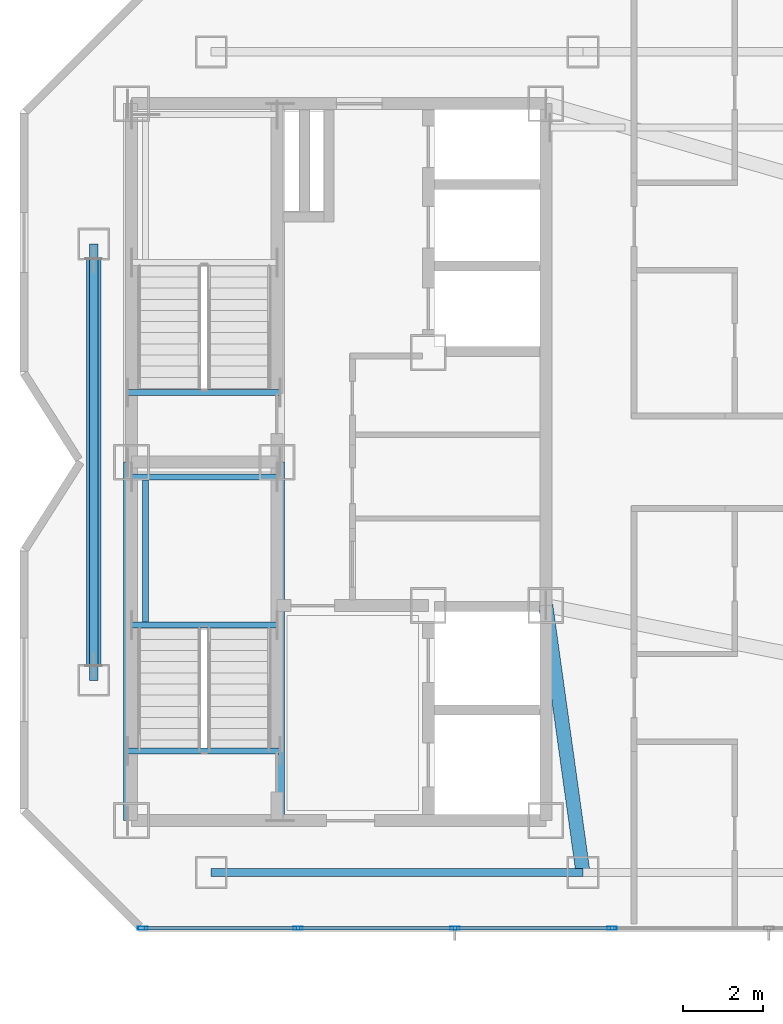
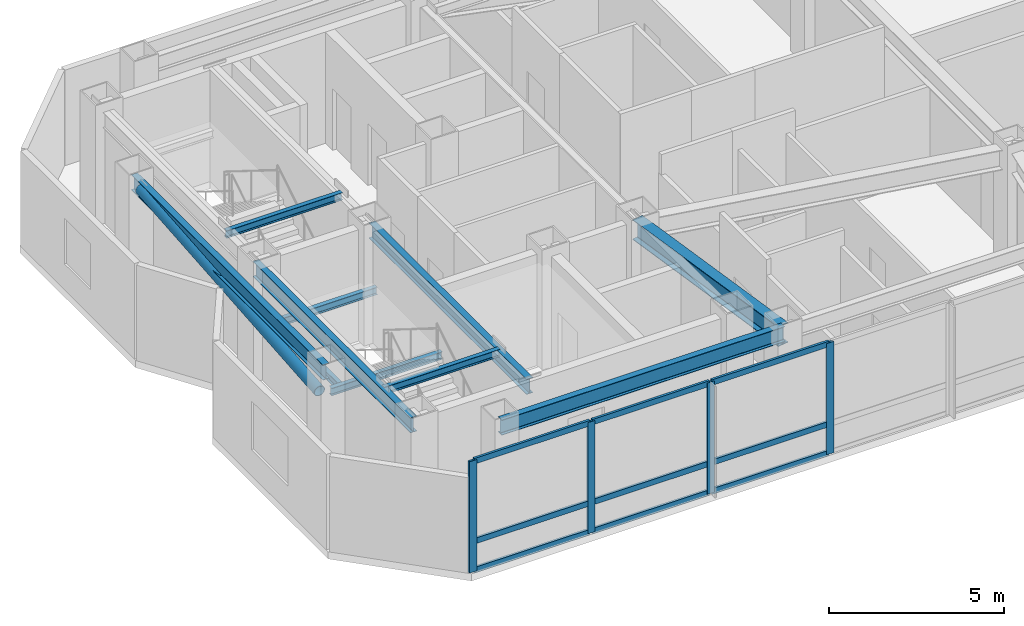
# One storey, part 2 of 12: 14 members, 10 beams, 1 element without a shape of its own.
"""IFC4 building model written with IfcOpenShell, lengths in metres."""

from ifc_helpers import new_model, si_unit, direction, frame, origin, origin_2d, place, context, subcontext, project, spatial, hollow_rectangle, hollow_circle, i_section, extrude, material, material_profile, profile_set, type_object, element, aggregate, save


model = new_model("IFC4")

# Units and contexts
model_context = context("Model", 3, precision=1e-05, world=origin(), true_north=direction((0.0, 1.0)))
body_context = subcontext(model_context, "Body", "Model", "MODEL_VIEW")
ifc_project = project(units=[si_unit("LENGTHUNIT", "METRE"), si_unit("AREAUNIT", "SQUARE_METRE"), si_unit("VOLUMEUNIT", "CUBIC_METRE"), si_unit("PLANEANGLEUNIT", "RADIAN"), si_unit("MASSUNIT", "GRAM", prefix="KILO")], contexts=[model_context])

# Site, building, storey
site_placement = place(None, origin())
site = spatial("IfcSite", under=ifc_project, at=site_placement, CompositionType="ELEMENT")
building_placement = place(site_placement, origin())
building = spatial("IfcBuilding", under=site, at=building_placement, Name="Khamvora Tower", CompositionType="ELEMENT")
storey_placement = place(building_placement, frame((0.0, 0.0, 298.85009765625)))
storey = spatial("IfcBuildingStorey", under=building, at=storey_placement, Name="L76", CompositionType="ELEMENT", Elevation=298.85009765625)

# Beams
ifc_material_1 = material(Name="Steel S355", Category="steel")
ifc_material_profile_1 = material_profile(ifc_material_1, i_section(OverallWidth=0.14697265625, OverallDepth=0.261962890625, WebThickness=0.007080078125, FlangeThickness=0.010986328125, FilletRadius=0.008056640625, at=origin_2d()), Name="W250x39")
ifc_profile_set_1 = profile_set([ifc_material_profile_1], Name="Steel S355")
beam_type_1 = type_object("IfcBeamType", Name="BM-LN-W250x39", PredefinedType="LINTEL", material=ifc_profile_set_1)
for number, where, z_axis, x_axis, name in (
    (1, (29.0, 23.9150390625, 1.768798828125), (1.0, 0.0, 0.0), (0.0, 1.0, 0.0), "L76 ST-01 half-landing support beam 1.1"),
    (2, (29.0, 27.6298828125, 1.768798828125), (1.0, 0.0, 0.0), (0.0, 1.0, 0.0), "L76 ST-01 half-landing support beam 1.2"),
):
    element("IfcBeam", number, at=place(storey_placement, frame(where, z_axis=z_axis, x_axis=x_axis)), inside=storey, type_object=beam_type_1, Name=name, PredefinedType="LINTEL", context=body_context, shape_type="SweptSolid", body=[
        extrude(i_section(OverallWidth=0.14697265625, OverallDepth=0.261962890625, WebThickness=0.007080078125, FlangeThickness=0.010986328125, FilletRadius=0.008056640625, at=origin_2d()), origin(), (0.0, 0.0, 1.0), 3.64990234375),
    ])
beam_1_placement = place(storey_placement, frame((29.35009765625, 23.9150390625, 1.768798828125), z_axis=(0.0, 1.0, 0.0), x_axis=(-1.0, 0.0, 0.0)))
element("IfcBeam", 3, at=beam_1_placement, inside=storey, type_object=beam_type_1, Name="L76 ST-01 half-landing edge stringer 1", PredefinedType="LINTEL", context=body_context, shape_type="SweptSolid", body=[
    extrude(i_section(OverallWidth=0.14697265625, OverallDepth=0.261962890625, WebThickness=0.007080078125, FlangeThickness=0.010986328125, FilletRadius=0.008056640625, at=origin_2d()), origin(), (0.0, 0.0, 1.0), 3.71484375),
])
for number, where, z_axis, x_axis, name in (
    (4, (28.89990234375, 20.75, 3.75390625), (1.0, 0.0, 0.0), (0.0, 1.0, 0.0), "L76 exit stair ST-01 landing trimmer beam"),
    (5, (28.89990234375, 29.75, 3.75390625), (1.0, 0.0, 0.0), (0.0, 1.0, 0.0), "L76 exit stair ST-02 landing trimmer beam"),
):
    element("IfcBeam", number, at=place(storey_placement, frame(where, z_axis=z_axis, x_axis=x_axis)), inside=storey, type_object=beam_type_1, Name=name, PredefinedType="LINTEL", context=body_context, shape_type="SweptSolid", body=[
        extrude(i_section(OverallWidth=0.14697265625, OverallDepth=0.261962890625, WebThickness=0.007080078125, FlangeThickness=0.010986328125, FilletRadius=0.008056640625, at=origin_2d()), origin(), (0.0, 0.0, 1.0), 3.830078125),
    ])
ifc_material_profile_2 = material_profile(ifc_material_1, i_section(OverallWidth=0.35498046875, OverallDepth=0.695068359375, WebThickness=0.014892578125, FlangeThickness=0.02490234375, FilletRadius=0.01611328125, at=origin_2d()), Name="W690x217")
ifc_profile_set_2 = profile_set([ifc_material_profile_2], Name="Steel S355")
beam_type_2 = type_object("IfcBeamType", Name="BM-PG-W690x217", PredefinedType="BEAM", material=ifc_profile_set_2)
beam_2_placement = place(storey_placement, frame((39.39990234375, 24.39990234375, 3.531982421875), z_axis=(0.1379391601, -0.990440703985, 0.0), x_axis=(0.990440703985, 0.1379391601, 0.0)))
element("IfcBeam", 6, at=beam_2_placement, inside=storey, type_object=beam_type_2, Name="L76 primary floor girder S2", PredefinedType="BEAM", context=body_context, shape_type="SweptSolid", body=[
    extrude(i_section(OverallWidth=0.35498046875, OverallDepth=0.695068359375, WebThickness=0.014892578125, FlangeThickness=0.02490234375, FilletRadius=0.01611328125, at=origin_2d()), origin(), (0.0, 0.0, 1.0), 6.7646484375),
])
ifc_material_profile_3 = material_profile(ifc_material_1, i_section(OverallWidth=0.208984375, OverallDepth=0.532958984375, WebThickness=0.010009765625, FlangeThickness=0.01611328125, FilletRadius=0.013916015625, at=origin_2d()), Name="W530x92")
ifc_profile_set_3 = profile_set([ifc_material_profile_3], Name="Steel S355")
beam_type_3 = type_object("IfcBeamType", Name="BM-SP-W530x92", PredefinedType="SPANDREL", material=ifc_profile_set_3)
beam_3_placement = place(storey_placement, frame((31.0, 17.699951171875, 3.614013671875), z_axis=(1.0, 0.0, 0.0), x_axis=(0.0, 1.0, 0.0)))
element("IfcBeam", 7, at=beam_3_placement, inside=storey, type_object=beam_type_3, Name="L76 perimeter spandrel beam S1-S2", PredefinedType="SPANDREL", context=body_context, shape_type="SweptSolid", body=[
    extrude(i_section(OverallWidth=0.208984375, OverallDepth=0.532958984375, WebThickness=0.010009765625, FlangeThickness=0.01611328125, FilletRadius=0.013916015625, at=origin_2d()), origin(), (0.0, 0.0, 1.0), 9.3330078125),
])
beam_4_placement = place(storey_placement, frame((28.050048828125, 33.47509765625, 3.614013671875), z_axis=(0.0, -1.0, 0.0), x_axis=(1.0, 0.0, 0.0)))
element("IfcBeam", 8, at=beam_4_placement, inside=storey, type_object=beam_type_3, Name="L76 perimeter spandrel beam W2-W1", PredefinedType="SPANDREL", context=body_context, shape_type="SweptSolid", body=[
    extrude(i_section(OverallWidth=0.208984375, OverallDepth=0.532958984375, WebThickness=0.010009765625, FlangeThickness=0.01611328125, FilletRadius=0.013916015625, at=origin_2d()), origin(), (0.0, 0.0, 1.0), 10.9501953125),
])
for number, where, z_axis, x_axis, name in (
    (9, (28.89990234375, 19.0, 3.614013671875), (0.0, 1.0, 0.0), (-1.0, 0.0, 0.0), "L76 core spine girder WS"),
    (10, (32.72998046875, 19.0, 3.614013671875), (0.0, 1.0, 0.0), (-1.0, 0.0, 0.0), "L76 core spine girder M1S"),
):
    element("IfcBeam", number, at=place(storey_placement, frame(where, z_axis=z_axis, x_axis=x_axis)), inside=storey, type_object=beam_type_3, Name=name, PredefinedType="SPANDREL", context=body_context, shape_type="SweptSolid", body=[
        extrude(i_section(OverallWidth=0.208984375, OverallDepth=0.532958984375, WebThickness=0.010009765625, FlangeThickness=0.01611328125, FilletRadius=0.013916015625, at=origin_2d()), origin(), (0.0, 0.0, 1.0), 9.0),
    ])

# Curtain wall, members
ifc_material_2 = material(Name="Anodised Aluminium 6063-T6", Category="aluminium")
curtain_wall_type = type_object("IfcCurtainWallType", Name="CW-SYS-06", PredefinedType="NOTDEFINED", material=ifc_material_2)
curtain_wall_placement = place(storey_placement, origin())
curtain_wall = element("IfcCurtainWall", 11, at=curtain_wall_placement, inside=storey, type_object=curtain_wall_type, Name="L76 stick curtain wall 01.1", PredefinedType="NOTDEFINED")
ifc_material_profile_4 = material_profile(ifc_material_2, hollow_rectangle(XDim=0.080078125, YDim=0.239990234375, WallThickness=0.0048828125, at=origin_2d()), Name="MUL80x240x5")
ifc_profile_set_4 = profile_set([ifc_material_profile_4], Name="Anodised Aluminium 6063-T6")
member_type_1 = type_object("IfcMemberType", Name="CW-SYS-06-MUL", PredefinedType="MULLION", material=ifc_profile_set_4)
member_1_placement = place(storey_placement, frame((41.060302734375, 16.300048828125, 0.0), z_axis=(0.0, 0.0, 1.0), x_axis=(0.0, -1.0, 0.0)))
member_1 = element("IfcMember", 12, at=member_1_placement, type_object=member_type_1, Name="CW-06 mullion 6", PredefinedType="MULLION", context=body_context, shape_type="SweptSolid", body=[
    extrude(hollow_rectangle(XDim=0.080078125, YDim=0.239990234375, WallThickness=0.0048828125, at=origin_2d()), origin(), (0.0, 0.0, 1.0), 3.8798828125),
])
member_2_placement = place(storey_placement, frame((37.12060546875, 16.300048828125, 0.0), z_axis=(0.0, 0.0, 1.0), x_axis=(0.0, -1.0, 0.0)))
member_2 = element("IfcMember", 13, at=member_2_placement, type_object=member_type_1, Name="CW-06 mullion 7", PredefinedType="MULLION", context=body_context, shape_type="SweptSolid", body=[
    extrude(hollow_rectangle(XDim=0.080078125, YDim=0.239990234375, WallThickness=0.0048828125, at=origin_2d()), origin(), (0.0, 0.0, 1.0), 3.8798828125),
])
member_3_placement = place(storey_placement, frame((33.1806640625, 16.300048828125, 0.0), z_axis=(0.0, 0.0, 1.0), x_axis=(0.0, -1.0, 0.0)))
member_3 = element("IfcMember", 14, at=member_3_placement, type_object=member_type_1, Name="CW-06 mullion 8", PredefinedType="MULLION", context=body_context, shape_type="SweptSolid", body=[
    extrude(hollow_rectangle(XDim=0.080078125, YDim=0.239990234375, WallThickness=0.0048828125, at=origin_2d()), origin(), (0.0, 0.0, 1.0), 3.8798828125),
])
member_4_placement = place(storey_placement, frame((29.281005859375, 16.300048828125, 0.0), z_axis=(0.0, 0.0, 1.0), x_axis=(0.0, -1.0, 0.0)))
member_4 = element("IfcMember", 15, at=member_4_placement, type_object=member_type_1, Name="CW-06 mullion 9", PredefinedType="MULLION", context=body_context, shape_type="SweptSolid", body=[
    extrude(hollow_rectangle(XDim=0.080078125, YDim=0.239990234375, WallThickness=0.0048828125, at=origin_2d()), origin(), (0.0, 0.0, 1.0), 3.8798828125),
])
ifc_material_profile_5 = material_profile(ifc_material_2, hollow_rectangle(XDim=0.080078125, YDim=0.195068359375, WallThickness=0.0048828125, at=origin_2d()), Name="TRN80x195x5")
ifc_profile_set_5 = profile_set([ifc_material_profile_5], Name="Anodised Aluminium 6063-T6")
member_type_2 = type_object("IfcMemberType", Name="CW-SYS-06-TRN", PredefinedType="USERDEFINED", material=ifc_profile_set_5)
member_5_placement = place(storey_placement, frame((41.020263671875, 16.300048828125, 0.039794921875), z_axis=(-1.0, 0.0, 0.0), x_axis=(0.0, -1.0, 0.0)))
member_5 = element("IfcMember", 16, at=member_5_placement, type_object=member_type_2, Name="CW-06 transom 6.1", ObjectType="TRANSOM", PredefinedType="USERDEFINED", context=body_context, shape_type="SweptSolid", body=[
    extrude(hollow_rectangle(XDim=0.080078125, YDim=0.195068359375, WallThickness=0.0048828125, at=origin_2d()), origin(), (0.0, 0.0, 1.0), 3.85986328125),
])
member_6_placement = place(storey_placement, frame((41.020263671875, 16.300048828125, 1.0498046875), z_axis=(-1.0, 0.0, 0.0), x_axis=(0.0, -1.0, 0.0)))
member_6 = element("IfcMember", 17, at=member_6_placement, type_object=member_type_2, Name="CW-06 transom 6.2", ObjectType="TRANSOM", PredefinedType="USERDEFINED", context=body_context, shape_type="SweptSolid", body=[
    extrude(hollow_rectangle(XDim=0.080078125, YDim=0.195068359375, WallThickness=0.0048828125, at=origin_2d()), origin(), (0.0, 0.0, 1.0), 3.85986328125),
])
member_7_placement = place(storey_placement, frame((41.020263671875, 16.300048828125, 3.83984375), z_axis=(-1.0, 0.0, 0.0), x_axis=(0.0, -1.0, 0.0)))
member_7 = element("IfcMember", 18, at=member_7_placement, type_object=member_type_2, Name="CW-06 transom 6.3", ObjectType="TRANSOM", PredefinedType="USERDEFINED", context=body_context, shape_type="SweptSolid", body=[
    extrude(hollow_rectangle(XDim=0.080078125, YDim=0.195068359375, WallThickness=0.0048828125, at=origin_2d()), origin(), (0.0, 0.0, 1.0), 3.85986328125),
])
member_8_placement = place(storey_placement, frame((37.08056640625, 16.300048828125, 0.039794921875), z_axis=(-1.0, 0.0, 0.0), x_axis=(0.0, -1.0, 0.0)))
member_8 = element("IfcMember", 19, at=member_8_placement, type_object=member_type_2, Name="CW-06 transom 7.1", ObjectType="TRANSOM", PredefinedType="USERDEFINED", context=body_context, shape_type="SweptSolid", body=[
    extrude(hollow_rectangle(XDim=0.080078125, YDim=0.195068359375, WallThickness=0.0048828125, at=origin_2d()), origin(), (0.0, 0.0, 1.0), 3.85986328125),
])
member_9_placement = place(storey_placement, frame((37.08056640625, 16.300048828125, 1.0498046875), z_axis=(-1.0, 0.0, 0.0), x_axis=(0.0, -1.0, 0.0)))
member_9 = element("IfcMember", 20, at=member_9_placement, type_object=member_type_2, Name="CW-06 transom 7.2", ObjectType="TRANSOM", PredefinedType="USERDEFINED", context=body_context, shape_type="SweptSolid", body=[
    extrude(hollow_rectangle(XDim=0.080078125, YDim=0.195068359375, WallThickness=0.0048828125, at=origin_2d()), origin(), (0.0, 0.0, 1.0), 3.85986328125),
])
member_10_placement = place(storey_placement, frame((37.08056640625, 16.300048828125, 3.83984375), z_axis=(-1.0, 0.0, 0.0), x_axis=(0.0, -1.0, 0.0)))
member_10 = element("IfcMember", 21, at=member_10_placement, type_object=member_type_2, Name="CW-06 transom 7.3", ObjectType="TRANSOM", PredefinedType="USERDEFINED", context=body_context, shape_type="SweptSolid", body=[
    extrude(hollow_rectangle(XDim=0.080078125, YDim=0.195068359375, WallThickness=0.0048828125, at=origin_2d()), origin(), (0.0, 0.0, 1.0), 3.85986328125),
])
member_11_placement = place(storey_placement, frame((33.140869140625, 16.300048828125, 0.039794921875), z_axis=(-1.0, 0.0, 0.0), x_axis=(0.0, -1.0, 0.0)))
member_11 = element("IfcMember", 22, at=member_11_placement, type_object=member_type_2, Name="CW-06 transom 8.1", ObjectType="TRANSOM", PredefinedType="USERDEFINED", context=body_context, shape_type="SweptSolid", body=[
    extrude(hollow_rectangle(XDim=0.080078125, YDim=0.195068359375, WallThickness=0.0048828125, at=origin_2d()), origin(), (0.0, 0.0, 1.0), 3.81982421875),
])
member_12_placement = place(storey_placement, frame((33.140869140625, 16.300048828125, 1.0498046875), z_axis=(-1.0, 0.0, 0.0), x_axis=(0.0, -1.0, 0.0)))
member_12 = element("IfcMember", 23, at=member_12_placement, type_object=member_type_2, Name="CW-06 transom 8.2", ObjectType="TRANSOM", PredefinedType="USERDEFINED", context=body_context, shape_type="SweptSolid", body=[
    extrude(hollow_rectangle(XDim=0.080078125, YDim=0.195068359375, WallThickness=0.0048828125, at=origin_2d()), origin(), (0.0, 0.0, 1.0), 3.81982421875),
])
member_13_placement = place(storey_placement, frame((33.140869140625, 16.300048828125, 3.83984375), z_axis=(-1.0, 0.0, 0.0), x_axis=(0.0, -1.0, 0.0)))
member_13 = element("IfcMember", 24, at=member_13_placement, type_object=member_type_2, Name="CW-06 transom 8.3", ObjectType="TRANSOM", PredefinedType="USERDEFINED", context=body_context, shape_type="SweptSolid", body=[
    extrude(hollow_rectangle(XDim=0.080078125, YDim=0.195068359375, WallThickness=0.0048828125, at=origin_2d()), origin(), (0.0, 0.0, 1.0), 3.81982421875),
])
aggregate(curtain_wall, [member_1, member_2, member_3, member_4, member_5, member_6, member_7, member_8, member_9, member_10, member_11, member_12, member_13])

# Member
ifc_material_profile_6 = material_profile(ifc_material_1, hollow_circle(Radius=0.177978515625, WallThickness=0.013916015625, at=origin_2d()), Name="CHS356x14")
ifc_profile_set_6 = profile_set([ifc_material_profile_6], Name="Steel S355")
member_type_3 = type_object("IfcMemberType", Name="MEM-BR-CHS356", PredefinedType="BRACE", material=ifc_profile_set_6)
member_14_placement = place(storey_placement, frame((28.050048828125, 22.904052734375, 2.7119140625), z_axis=(0.0, 0.996377511033, 0.08504031696), x_axis=(-1.0, 0.0, 0.0)))
element("IfcMember", 25, at=member_14_placement, inside=storey, type_object=member_type_3, Name="L76 perimeter wind brace 1", PredefinedType="BRACE", context=body_context, shape_type="SweptSolid", body=[
    extrude(hollow_circle(Radius=0.177978515625, WallThickness=0.013916015625, at=origin_2d()), origin(), (0.0, 0.0, 1.0), 10.22900390625),
])

save(model, "model.ifc")
